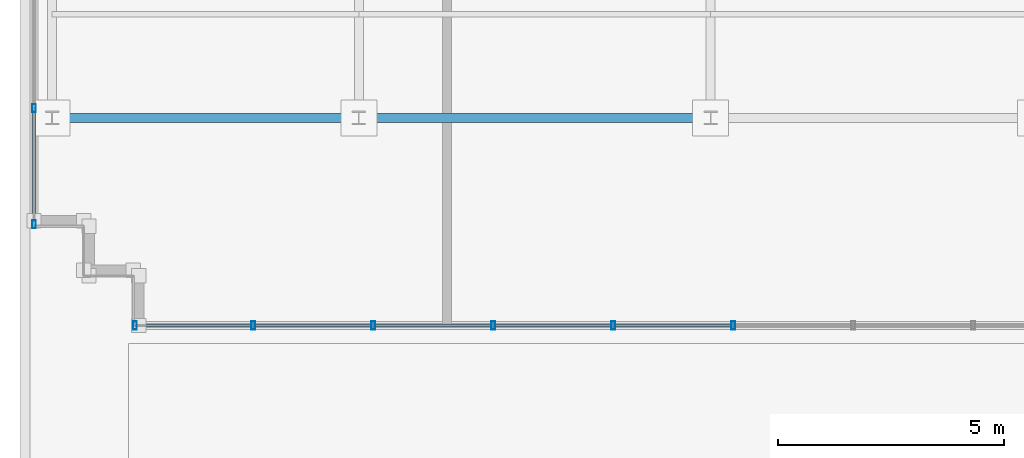
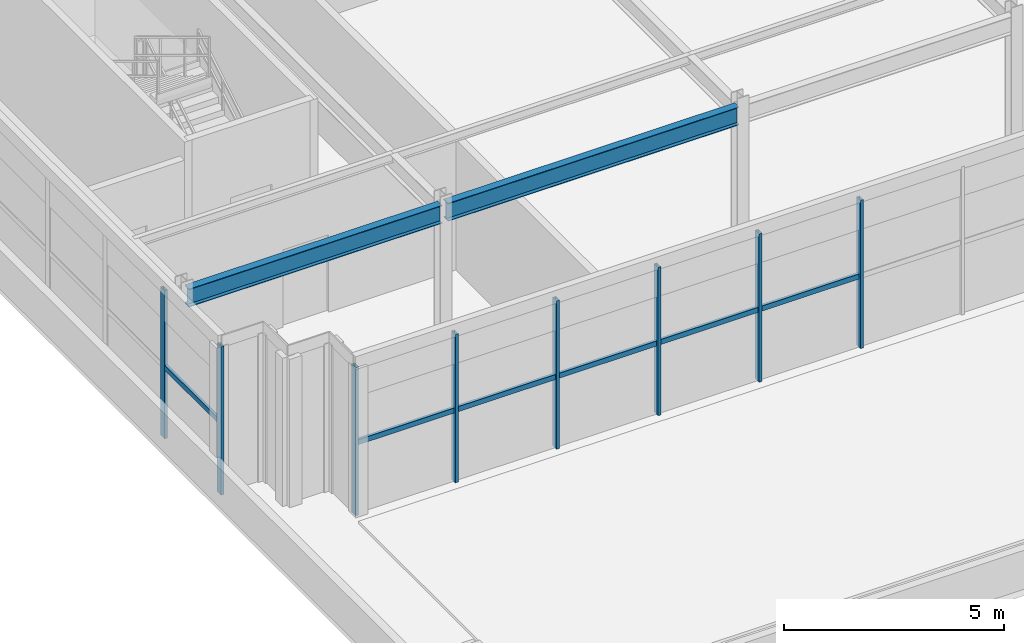
# One storey, part 5 of 38: 14 members, 2 beams, 2 elements without a shape of their own.
"""IFC4 building model written with IfcOpenShell, lengths in metres."""

from ifc_helpers import new_model, si_unit, direction, frame, origin, origin_2d, place, context, subcontext, project, spatial, hollow_rectangle, i_section, extrude, source, transform, mapped, material, material_profile, profile_set, type_object, element, aggregate, save


model = new_model("IFC4")

# Units and contexts
model_context = context("Model", 3, precision=1e-05, world=origin(), true_north=direction((0.0, 1.0)))
body_context = subcontext(model_context, "Body", "Model", "MODEL_VIEW")
ifc_project = project(units=[si_unit("LENGTHUNIT", "METRE"), si_unit("AREAUNIT", "SQUARE_METRE"), si_unit("VOLUMEUNIT", "CUBIC_METRE"), si_unit("PLANEANGLEUNIT", "RADIAN"), si_unit("MASSUNIT", "GRAM", prefix="KILO")], contexts=[model_context])

# Site, building, storey
site_placement = place(None, origin())
site = spatial("IfcSite", under=ifc_project, at=site_placement, CompositionType="ELEMENT")
building_placement = place(site_placement, origin())
building = spatial("IfcBuilding", under=site, at=building_placement, Name="Trelvane Seafront Commons", CompositionType="ELEMENT")
storey_placement = place(building_placement, frame((0.0, 0.0, 299.10009765625)))
storey = spatial("IfcBuildingStorey", under=building, at=storey_placement, Name="L78", CompositionType="ELEMENT", Elevation=299.10009765625)

# Beams
ifc_material_1 = material(Name="Steel SM355 (S355)", Category="steel")
ifc_material_profile_1 = material_profile(ifc_material_1, i_section(OverallWidth=0.199951171875, OverallDepth=0.5, WebThickness=0.010009765625, FlangeThickness=0.01611328125, at=origin_2d()), Name="H-500x200x10x16")
ifc_profile_set_1 = profile_set([ifc_material_profile_1], Name="Steel SM355 (S355)")
beam_type = type_object("IfcBeamType", Name="STR-CROWN-FRAME-RING", PredefinedType="SPANDREL", material=ifc_profile_set_1)
shared_shape_1 = source(origin(), body_context, "Body", "SweptSolid", [
    extrude(i_section(OverallWidth=0.199951171875, OverallDepth=0.5, WebThickness=0.010009765625, FlangeThickness=0.01611328125, at=origin_2d()), origin(), (0.0, 0.0, 1.0), 6.64990234375),
])
beam_1_placement = place(storey_placement, frame((8.875, 18.199951171875, 3.869873046875), z_axis=(1.0, 0.0, 0.0), x_axis=(0.0, 1.0, 0.0)))
element("IfcBeam", 1, at=beam_1_placement, inside=storey, type_object=beam_type, Name="L78 CROWN FRAME Ring Beam G-01", PredefinedType="SPANDREL", context=body_context, shape_type="MappedRepresentation", body=[
    mapped(shared_shape_1, transform((0.0, 0.0, 0.0), x_axis=(1.0, 0.0, 0.0), y_axis=(0.0, 1.0, 0.0), z_axis=(0.0, 0.0, 1.0), scale=1.0)),
])
shared_shape_2 = source(origin(), body_context, "Body", "SweptSolid", [
    extrude(i_section(OverallWidth=0.199951171875, OverallDepth=0.5, WebThickness=0.010009765625, FlangeThickness=0.01611328125, at=origin_2d()), origin(), (0.0, 0.0, 1.0), 7.64990234375),
])
beam_2_placement = place(storey_placement, frame((15.675048828125, 18.199951171875, 3.869873046875), z_axis=(1.0, 0.0, 0.0), x_axis=(0.0, 1.0, 0.0)))
element("IfcBeam", 2, at=beam_2_placement, inside=storey, type_object=beam_type, Name="L78 CROWN FRAME Ring Beam G-02", PredefinedType="SPANDREL", context=body_context, shape_type="MappedRepresentation", body=[
    mapped(shared_shape_2, transform((0.0, 0.0, 0.0), x_axis=(1.0, 0.0, 0.0), y_axis=(0.0, 1.0, 0.0), z_axis=(0.0, 0.0, 1.0), scale=1.0)),
])

# Curtain wall, members
ifc_material_2 = material(Name="Anodised pale-silver aluminium", Category="aluminium")
curtain_wall_type = type_object("IfcCurtainWallType", Name="ARCH-CW6-CROWN", PredefinedType="NOTDEFINED", material=ifc_material_2)
curtain_wall_1_placement = place(storey_placement, origin())
curtain_wall_1 = element("IfcCurtainWall", 3, at=curtain_wall_1_placement, inside=storey, type_object=curtain_wall_type, Name="CW-L78-0124", PredefinedType="NOTDEFINED")
ifc_material_profile_2 = material_profile(ifc_material_2, hollow_rectangle(XDim=0.080078125, YDim=0.179931640625, WallThickness=0.00439453125, at=origin_2d()), Name="MULL-80x180x4.5")
ifc_profile_set_2 = profile_set([ifc_material_profile_2], Name="Anodised pale-silver aluminium")
member_type_1 = type_object("IfcMemberType", Name="ARCH-CW-MULL-180", PredefinedType="MULLION", material=ifc_profile_set_2)
shared_shape_3 = source(origin(), body_context, "Body", "SweptSolid", [
    extrude(hollow_rectangle(XDim=0.080078125, YDim=0.179931640625, WallThickness=0.00439453125, at=origin_2d()), origin(), (0.0, 0.0, 1.0), 4.119873046875),
])
member_1_placement = place(storey_placement, frame((8.39990234375, 15.840087890625, 0.0), z_axis=(0.0, 0.0, 1.0), x_axis=(1.0, 0.0, 0.0)))
member_1 = element("IfcMember", 4, at=member_1_placement, type_object=member_type_1, Name="CW-L78-0124-M00", PredefinedType="MULLION", context=body_context, shape_type="MappedRepresentation", body=[
    mapped(shared_shape_3, transform((0.0, 0.0, 0.0), x_axis=(1.0, 0.0, 0.0), y_axis=(0.0, 1.0, 0.0), z_axis=(0.0, 0.0, 1.0), scale=1.0)),
])
member_2_placement = place(storey_placement, frame((8.39990234375, 18.418212890625, 0.0), z_axis=(0.0, 0.0, 1.0), x_axis=(1.0, 0.0, 0.0)))
member_2 = element("IfcMember", 5, at=member_2_placement, type_object=member_type_1, Name="CW-L78-0124-M01", PredefinedType="MULLION", context=body_context, shape_type="MappedRepresentation", body=[
    mapped(shared_shape_3, transform((0.0, 0.0, 0.0), x_axis=(1.0, 0.0, 0.0), y_axis=(0.0, 1.0, 0.0), z_axis=(0.0, 0.0, 1.0), scale=1.0)),
])

curtain_wall_2_placement = place(storey_placement, origin())
curtain_wall_2 = element("IfcCurtainWall", 6, at=curtain_wall_2_placement, inside=storey, type_object=curtain_wall_type, Name="CW-L78-0127", PredefinedType="NOTDEFINED")
member_3_placement = place(storey_placement, frame((23.89990234375, 13.60009765625, 0.0), z_axis=(0.0, 0.0, 1.0), x_axis=(1.0, 0.0, 0.0)))
member_3 = element("IfcMember", 7, at=member_3_placement, type_object=member_type_1, Name="CW-L78-0127-M15", PredefinedType="MULLION", context=body_context, shape_type="MappedRepresentation", body=[
    mapped(shared_shape_3, transform((0.0, 0.0, 0.0), x_axis=(1.0, 0.0, 0.0), y_axis=(0.0, 1.0, 0.0), z_axis=(0.0, 0.0, 1.0), scale=1.0)),
])
member_4_placement = place(storey_placement, frame((21.239990234375, 13.60009765625, 0.0), z_axis=(0.0, 0.0, 1.0), x_axis=(1.0, 0.0, 0.0)))
member_4 = element("IfcMember", 8, at=member_4_placement, type_object=member_type_1, Name="CW-L78-0127-M16", PredefinedType="MULLION", context=body_context, shape_type="MappedRepresentation", body=[
    mapped(shared_shape_3, transform((0.0, 0.0, 0.0), x_axis=(1.0, 0.0, 0.0), y_axis=(0.0, 1.0, 0.0), z_axis=(0.0, 0.0, 1.0), scale=1.0)),
])
member_5_placement = place(storey_placement, frame((18.580078125, 13.60009765625, 0.0), z_axis=(0.0, 0.0, 1.0), x_axis=(1.0, 0.0, 0.0)))
member_5 = element("IfcMember", 9, at=member_5_placement, type_object=member_type_1, Name="CW-L78-0127-M17", PredefinedType="MULLION", context=body_context, shape_type="MappedRepresentation", body=[
    mapped(shared_shape_3, transform((0.0, 0.0, 0.0), x_axis=(1.0, 0.0, 0.0), y_axis=(0.0, 1.0, 0.0), z_axis=(0.0, 0.0, 1.0), scale=1.0)),
])
member_6_placement = place(storey_placement, frame((15.919921875, 13.60009765625, 0.0), z_axis=(0.0, 0.0, 1.0), x_axis=(1.0, 0.0, 0.0)))
member_6 = element("IfcMember", 10, at=member_6_placement, type_object=member_type_1, Name="CW-L78-0127-M18", PredefinedType="MULLION", context=body_context, shape_type="MappedRepresentation", body=[
    mapped(shared_shape_3, transform((0.0, 0.0, 0.0), x_axis=(1.0, 0.0, 0.0), y_axis=(0.0, 1.0, 0.0), z_axis=(0.0, 0.0, 1.0), scale=1.0)),
])
member_7_placement = place(storey_placement, frame((13.260009765625, 13.60009765625, 0.0), z_axis=(0.0, 0.0, 1.0), x_axis=(1.0, 0.0, 0.0)))
member_7 = element("IfcMember", 11, at=member_7_placement, type_object=member_type_1, Name="CW-L78-0127-M19", PredefinedType="MULLION", context=body_context, shape_type="MappedRepresentation", body=[
    mapped(shared_shape_3, transform((0.0, 0.0, 0.0), x_axis=(1.0, 0.0, 0.0), y_axis=(0.0, 1.0, 0.0), z_axis=(0.0, 0.0, 1.0), scale=1.0)),
])
member_8_placement = place(storey_placement, frame((10.639892578125, 13.60009765625, 0.0), z_axis=(0.0, 0.0, 1.0), x_axis=(1.0, 0.0, 0.0)))
member_8 = element("IfcMember", 12, at=member_8_placement, type_object=member_type_1, Name="CW-L78-0127-M20", PredefinedType="MULLION", context=body_context, shape_type="MappedRepresentation", body=[
    mapped(shared_shape_3, transform((0.0, 0.0, 0.0), x_axis=(1.0, 0.0, 0.0), y_axis=(0.0, 1.0, 0.0), z_axis=(0.0, 0.0, 1.0), scale=1.0)),
])

# Member
ifc_material_profile_3 = material_profile(ifc_material_2, hollow_rectangle(XDim=0.074951171875, YDim=0.139892578125, WallThickness=0.00390625, at=origin_2d()), Name="TRAN-75x140x4")
ifc_profile_set_3 = profile_set([ifc_material_profile_3], Name="Anodised pale-silver aluminium")
member_type_2 = type_object("IfcMemberType", Name="ARCH-CW-TRAN-140", PredefinedType="USERDEFINED", material=ifc_profile_set_3)
shared_shape_4 = source(origin(), body_context, "Body", "SweptSolid", [
    extrude(hollow_rectangle(XDim=0.074951171875, YDim=0.139892578125, WallThickness=0.00390625, at=origin_2d()), origin(), (0.0, 0.0, 1.0), 2.59423828125),
])
member_9_placement = place(storey_placement, frame((8.39990234375, 15.81201171875, 1.977783203125), z_axis=(0.0, 1.0, 0.0), x_axis=(-1.0, 0.0, 0.0)))
member_9 = element("IfcMember", 13, at=member_9_placement, type_object=member_type_2, Name="CW-L78-0124-T00", ObjectType="TRANSOM", PredefinedType="USERDEFINED", context=body_context, shape_type="MappedRepresentation", body=[
    mapped(shared_shape_4, transform((0.0, 0.0, 0.0), x_axis=(1.0, 0.0, 0.0), y_axis=(0.0, 1.0, 0.0), z_axis=(0.0, 0.0, 1.0), scale=1.0)),
])

aggregate(curtain_wall_1, [member_1, member_2, member_9])

shared_shape_5 = source(origin(), body_context, "Body", "SweptSolid", [
    extrude(hollow_rectangle(XDim=0.074951171875, YDim=0.139892578125, WallThickness=0.00390625, at=origin_2d()), origin(), (0.0, 0.0, 1.0), 2.635986328125),
])
member_10_placement = place(storey_placement, frame((23.887939453125, 13.60009765625, 1.977783203125), z_axis=(-1.0, 0.0, 0.0), x_axis=(0.0, -1.0, 0.0)))
member_10 = element("IfcMember", 14, at=member_10_placement, type_object=member_type_2, Name="CW-L78-0127-T15", ObjectType="TRANSOM", PredefinedType="USERDEFINED", context=body_context, shape_type="MappedRepresentation", body=[
    mapped(shared_shape_5, transform((0.0, 0.0, 0.0), x_axis=(1.0, 0.0, 0.0), y_axis=(0.0, 1.0, 0.0), z_axis=(0.0, 0.0, 1.0), scale=1.0)),
])

member_11_placement = place(storey_placement, frame((21.22802734375, 13.60009765625, 1.977783203125), z_axis=(-1.0, 0.0, 0.0), x_axis=(0.0, -1.0, 0.0)))
member_11 = element("IfcMember", 15, at=member_11_placement, type_object=member_type_2, Name="CW-L78-0127-T16", ObjectType="TRANSOM", PredefinedType="USERDEFINED", context=body_context, shape_type="MappedRepresentation", body=[
    mapped(shared_shape_5, transform((0.0, 0.0, 0.0), x_axis=(1.0, 0.0, 0.0), y_axis=(0.0, 1.0, 0.0), z_axis=(0.0, 0.0, 1.0), scale=1.0)),
])

member_12_placement = place(storey_placement, frame((15.907958984375, 13.60009765625, 1.977783203125), z_axis=(-1.0, 0.0, 0.0), x_axis=(0.0, -1.0, 0.0)))
member_12 = element("IfcMember", 16, at=member_12_placement, type_object=member_type_2, Name="CW-L78-0127-T18", ObjectType="TRANSOM", PredefinedType="USERDEFINED", context=body_context, shape_type="MappedRepresentation", body=[
    mapped(shared_shape_5, transform((0.0, 0.0, 0.0), x_axis=(1.0, 0.0, 0.0), y_axis=(0.0, 1.0, 0.0), z_axis=(0.0, 0.0, 1.0), scale=1.0)),
])

member_13_placement = place(storey_placement, frame((13.248046875, 13.60009765625, 1.977783203125), z_axis=(-1.0, 0.0, 0.0), x_axis=(0.0, -1.0, 0.0)))
member_13 = element("IfcMember", 17, at=member_13_placement, type_object=member_type_2, Name="CW-L78-0127-T19", ObjectType="TRANSOM", PredefinedType="USERDEFINED", context=body_context, shape_type="MappedRepresentation", body=[
    mapped(shared_shape_5, transform((0.0, 0.0, 0.0), x_axis=(1.0, 0.0, 0.0), y_axis=(0.0, 1.0, 0.0), z_axis=(0.0, 0.0, 1.0), scale=1.0)),
])

shared_shape_6 = source(origin(), body_context, "Body", "SweptSolid", [
    extrude(hollow_rectangle(XDim=0.074951171875, YDim=0.139892578125, WallThickness=0.00390625, at=origin_2d()), origin(), (0.0, 0.0, 1.0), 2.63623046875),
])
member_14_placement = place(storey_placement, frame((18.568115234375, 13.60009765625, 1.977783203125), z_axis=(-1.0, 0.0, 0.0), x_axis=(0.0, -1.0, 0.0)))
member_14 = element("IfcMember", 18, at=member_14_placement, type_object=member_type_2, Name="CW-L78-0127-T17", ObjectType="TRANSOM", PredefinedType="USERDEFINED", context=body_context, shape_type="MappedRepresentation", body=[
    mapped(shared_shape_6, transform((0.0, 0.0, 0.0), x_axis=(1.0, 0.0, 0.0), y_axis=(0.0, 1.0, 0.0), z_axis=(0.0, 0.0, 1.0), scale=1.0)),
])

aggregate(curtain_wall_2, [member_3, member_4, member_5, member_6, member_7, member_8, member_10, member_11, member_14, member_12, member_13])

save(model, "model.ifc")
